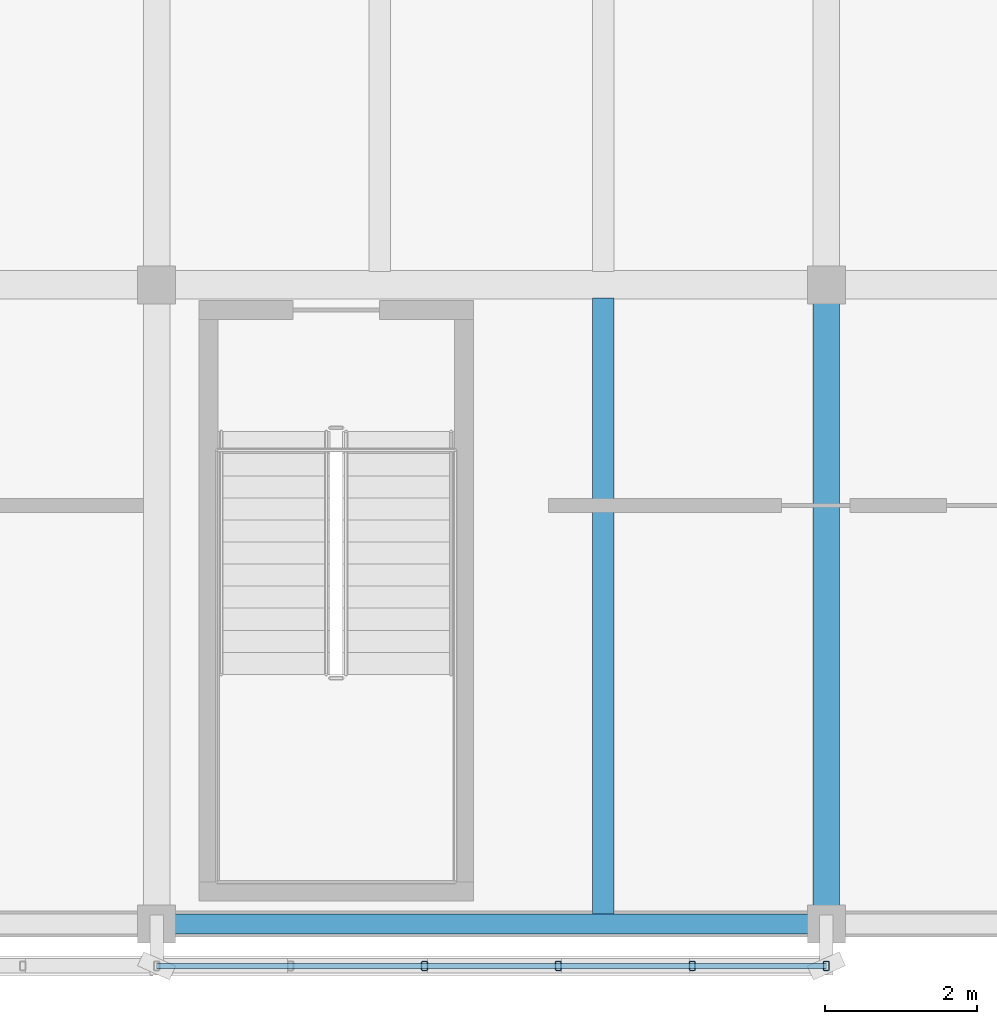
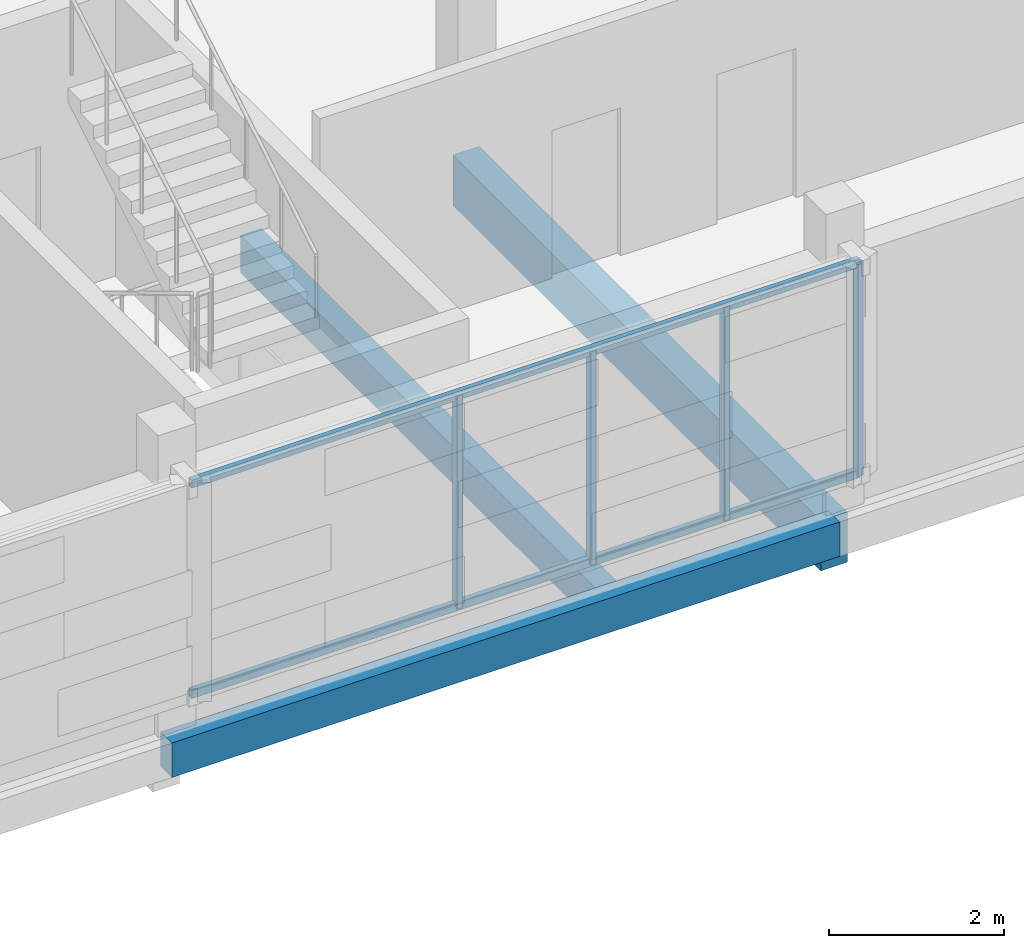
# One storey, part 32 of 137: 6 members, 3 beams.
"""IFC4 building model written with IfcOpenShell, lengths in metres."""

from ifc_helpers import new_model, si_unit, direction, frame, origin, origin_2d, place, context, subcontext, project, spatial, rectangle, hollow_rectangle, extrude, material, material_profile, profile_set, type_object, element, save


model = new_model("IFC4")

# Units and contexts
model_context = context("Model", 3, precision=1e-05, world=origin(), true_north=direction((0.0, 1.0)))
body_context = subcontext(model_context, "Body", "Model", "MODEL_VIEW")
ifc_project = project(units=[si_unit("LENGTHUNIT", "METRE"), si_unit("AREAUNIT", "SQUARE_METRE"), si_unit("VOLUMEUNIT", "CUBIC_METRE"), si_unit("PLANEANGLEUNIT", "RADIAN"), si_unit("MASSUNIT", "GRAM", prefix="KILO")], contexts=[model_context])

# Site, building, storey
site_placement = place(None, origin())
site = spatial("IfcSite", under=ifc_project, at=site_placement, CompositionType="ELEMENT")
building_placement = place(site_placement, origin())
building = spatial("IfcBuilding", under=site, at=building_placement, Name="Cinderway Yard Community Centre", CompositionType="ELEMENT")
storey_placement = place(building_placement, frame((0.0, 0.0, 4.800048828125)))
storey = spatial("IfcBuildingStorey", under=building, at=storey_placement, Name="L01", CompositionType="ELEMENT", Elevation=4.800048828125)

# Members
ifc_material_1 = material(Name="Steel S355", Category="steel")
ifc_material_profile_1 = material_profile(ifc_material_1, hollow_rectangle(XDim=0.080078125, YDim=0.1201171875, WallThickness=0.00634765625, InnerFilletRadius=0.00634765625, OuterFilletRadius=0.0126953125, at=origin_2d()), Name="Steel S355")
ifc_profile_set_1 = profile_set([ifc_material_profile_1], Name="Steel S355")
member_type = type_object("IfcMemberType", Name="ENV-MEM-SCREEN-RAIL-120", PredefinedType="STRINGER", material=ifc_profile_set_1)
for number, where, z_axis, x_axis, name in (
    (1, (101.60009765625, 5.449951171875, 0.7099609375), (1.0, 0.0, 0.0), (0.0, 1.0, 0.0), "Screen support rail 0585-BOT"),
    (2, (101.60009765625, 5.449951171875, 3.639892578125), (1.0, 0.0, 0.0), (0.0, 1.0, 0.0), "Screen support rail 0586-TOP"),
):
    element("IfcMember", number, at=place(storey_placement, frame(where, z_axis=z_axis, x_axis=x_axis)), inside=storey, type_object=member_type, Name=name, PredefinedType="STRINGER", context=body_context, shape_type="SweptSolid", body=[
        extrude(hollow_rectangle(XDim=0.080078125, YDim=0.1201171875, WallThickness=0.00634765625, InnerFilletRadius=0.00634765625, OuterFilletRadius=0.0126953125, at=origin_2d()), origin(), (0.0, 0.0, 1.0), 8.7998046875),
    ])
for number, where, z_axis, x_axis, name in (
    (3, (105.1201171875, 5.449951171875, 0.68994140625), (0.0, 0.0, 1.0), (1.0, 0.0, 0.0), "Screen vertical mullion 0588"),
    (4, (106.8798828125, 5.449951171875, 0.68994140625), (0.0, 0.0, 1.0), (1.0, 0.0, 0.0), "Screen vertical mullion 0589"),
    (5, (108.639892578125, 5.449951171875, 0.68994140625), (0.0, 0.0, 1.0), (1.0, 0.0, 0.0), "Screen vertical mullion 0590"),
    (6, (110.39990234375, 5.449951171875, 0.68994140625), (0.0, 0.0, 1.0), (1.0, 0.0, 0.0), "Screen vertical mullion 0591"),
):
    element("IfcMember", number, at=place(storey_placement, frame(where, z_axis=z_axis, x_axis=x_axis)), inside=storey, type_object=member_type, Name=name, PredefinedType="STRINGER", context=body_context, shape_type="SweptSolid", body=[
        extrude(hollow_rectangle(XDim=0.080078125, YDim=0.1201171875, WallThickness=0.00634765625, InnerFilletRadius=0.00634765625, OuterFilletRadius=0.0126953125, at=origin_2d()), origin(), (0.0, 0.0, 1.0), 2.969970703125),
    ])

# Beams
ifc_material_2 = material(Name="Concrete C40/50", Category="concrete")
ifc_material_profile_2 = material_profile(ifc_material_2, rectangle(XDim=0.260009765625, YDim=0.47998046875, at=origin_2d()), Name="Concrete C40/50")
ifc_profile_set_2 = profile_set([ifc_material_profile_2], Name="Concrete C40/50")
beam_type_1 = type_object("IfcBeamType", Name="STR-BM-RC260X480", PredefinedType="SPANDREL", material=ifc_profile_set_2)
beam_1_placement = place(storey_placement, frame((101.60009765625, 6.0, -0.47998046875), z_axis=(1.0, 0.0, 0.0), x_axis=(0.0, 1.0, 0.0)))
element("IfcBeam", 7, at=beam_1_placement, inside=storey, type_object=beam_type_1, Name="Primary girder STR-BM-L01-SP01-0116", PredefinedType="SPANDREL", context=body_context, shape_type="SweptSolid", body=[
    extrude(rectangle(XDim=0.260009765625, YDim=0.47998046875, at=origin_2d()), origin(), (0.0, 0.0, 1.0), 8.7998046875),
])
ifc_material_3 = material(Name="Concrete C35/45", Category="concrete")
ifc_material_profile_3 = material_profile(ifc_material_3, rectangle(XDim=0.280029296875, YDim=0.52001953125, at=origin_2d()), Name="Concrete C35/45")
ifc_profile_set_3 = profile_set([ifc_material_profile_3], Name="Concrete C35/45")
beam_type_2 = type_object("IfcBeamType", Name="STR-BM-RC280X520", PredefinedType="JOIST", material=ifc_profile_set_3)
beam_2_placement = place(storey_placement, frame((107.467041015625, 6.112060546875, -0.5), z_axis=(0.0, 1.0, 0.0), x_axis=(-1.0, 0.0, 0.0)))
element("IfcBeam", 8, at=beam_2_placement, inside=storey, type_object=beam_type_2, Name="Secondary joist STR-BM-L01-BJ04-0165", PredefinedType="JOIST", context=body_context, shape_type="SweptSolid", body=[
    extrude(rectangle(XDim=0.280029296875, YDim=0.52001953125, at=origin_2d()), origin(), (0.0, 0.0, 1.0), 8.115966796875),
])
ifc_material_profile_4 = material_profile(ifc_material_3, rectangle(XDim=0.35009765625, YDim=0.699951171875, at=origin_2d()), Name="Concrete C35/45")
ifc_profile_set_4 = profile_set([ifc_material_profile_4], Name="Concrete C35/45")
beam_type_3 = type_object("IfcBeamType", Name="STR-BM-RC350X700", PredefinedType="BEAM", material=ifc_profile_set_4)
beam_3_placement = place(storey_placement, frame((110.39990234375, 6.0, -0.590087890625), z_axis=(0.0, 1.0, 0.0), x_axis=(-1.0, 0.0, 0.0)))
element("IfcBeam", 9, at=beam_3_placement, inside=storey, type_object=beam_type_3, Name="Transverse girder STR-BM-L01-BG07-0143", PredefinedType="BEAM", context=body_context, shape_type="SweptSolid", body=[
    extrude(rectangle(XDim=0.35009765625, YDim=0.699951171875, at=origin_2d()), origin(), (0.0, 0.0, 1.0), 8.39990234375),
])

save(model, "model.ifc")
